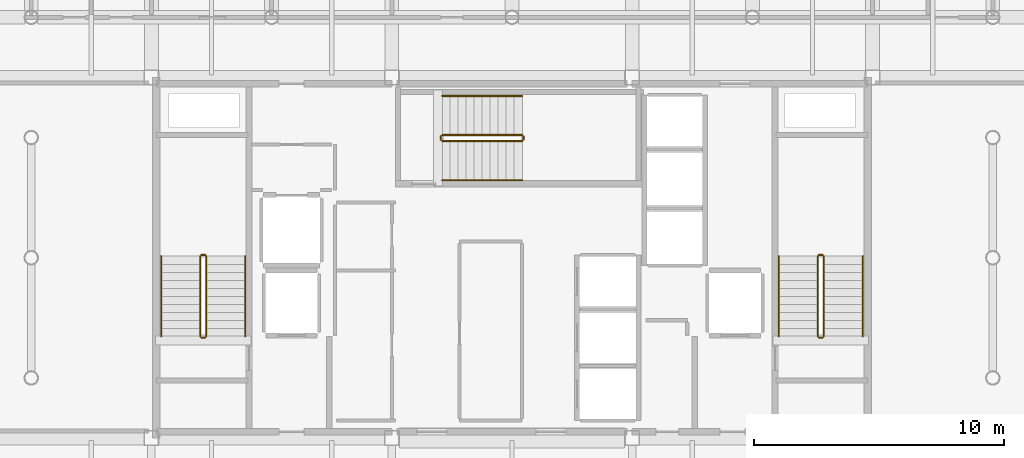
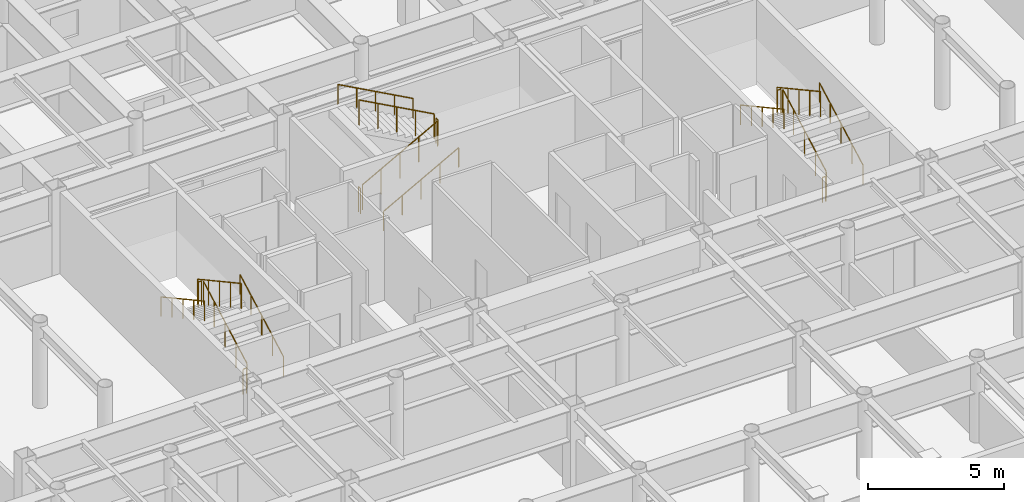
# One storey, part 24 of 24: 18 railings.
"""IFC4 building model written with IfcOpenShell, lengths in metres."""

import ifcopenshell
import ifcopenshell.guid

model = None  # the IFC model being written
_history = None  # IfcOwnerHistory: only IFC2X3 demands one
_inside = {}  # id of a spatial element -> (the spatial element, [elements in it])
_under = {}  # id of a project, library or spatial element -> (it, [spatial elements below it])
_declared = {}  # id of a project -> (the project, [libraries it declares])
_typed = {}  # id of a type object -> (the type object, [elements of that type])
_made_of = {}  # id of a material, layer set ... -> (it, [elements and type objects made of it])


def new_model(schema):
    """Start an empty IFC model of exactly this schema.

    Asked for "IFC4X3", IfcOpenShell would pick the latest addendum, in which some entities
    have other attributes; the version numbers below select the first issue.
    IFC2X3 requires an IfcOwnerHistory on every rooted entity: one is made here for all.
    """
    global model, _history
    if schema == "IFC4X3":
        model = ifcopenshell.file(schema_version=(4, 3, 0, 0))
    else:
        model = ifcopenshell.file(schema=schema)
    _inside.clear()
    _under.clear()
    _declared.clear()
    _typed.clear()
    _made_of.clear()
    _history = None
    if model.schema == "IFC2X3":
        org = make("IfcOrganization", Name="unknown")
        user = make(
            "IfcPersonAndOrganization",
            ThePerson=make("IfcPerson", FamilyName="unknown"),
            TheOrganization=org,
        )
        app = make(
            "IfcApplication",
            ApplicationDeveloper=org,
            Version="unknown",
            ApplicationFullName="unknown",
            ApplicationIdentifier="unknown",
        )
        _history = make(
            "IfcOwnerHistory",
            OwningUser=user,
            OwningApplication=app,
            ChangeAction="ADDED",
            CreationDate=0,
        )
    return model


def make(cls, **values):
    """One entity of the class cls with the attributes given. An attribute that is None is left unset."""
    return model.create_entity(
        cls, **{name: value for name, value in values.items() if value is not None}
    )


def rooted(cls, **values):
    """An entity with a GlobalId (a new one), such as an element, a storey or a relation."""
    return make(cls, GlobalId=ifcopenshell.guid.new(), OwnerHistory=_history, **values)


def si_unit(unit_type, name, prefix=None):
    """IfcSIUnit, for example si_unit("LENGTHUNIT", "METRE", prefix="MILLI")."""
    return make("IfcSIUnit", UnitType=unit_type, Prefix=prefix, Name=name)


def assignment(units):
    """IfcUnitAssignment: the units of a project."""
    return None if units is None else make("IfcUnitAssignment", Units=units)


def point(xyz):
    """IfcCartesianPoint."""
    return None if xyz is None else make("IfcCartesianPoint", Coordinates=xyz)


def direction(xyz):
    """IfcDirection."""
    return None if xyz is None else make("IfcDirection", DirectionRatios=xyz)


def frame(location, z_axis=None, x_axis=None):
    """IfcAxis2Placement3D, a coordinate frame: its origin and axes. An axis left out is left unset."""
    return make(
        "IfcAxis2Placement3D",
        Location=point(location),
        Axis=direction(z_axis),
        RefDirection=direction(x_axis),
    )


def frame_2d(location, x_axis=None):
    """IfcAxis2Placement2D, a coordinate frame in the plane: its origin and x axis."""
    return make(
        "IfcAxis2Placement2D", Location=point(location), RefDirection=direction(x_axis)
    )


def origin():
    """The frame at (0, 0, 0) with its axes left unset."""
    return frame((0.0, 0.0, 0.0))


def origin_2d():
    """The frame at (0, 0) in the plane with its x axis left unset."""
    return frame_2d((0.0, 0.0))


def place(relative_to, where):
    """IfcLocalPlacement: puts the frame where relative to a parent placement (None: the world)."""
    return make(
        "IfcLocalPlacement", PlacementRelTo=relative_to, RelativePlacement=where
    )


def context(
    kind, dimensions, precision=None, world=None, true_north=None, identifier=None
):
    """IfcGeometricRepresentationContext, for example the 3D "Model" context."""
    return make(
        "IfcGeometricRepresentationContext",
        ContextIdentifier=identifier,
        ContextType=kind,
        CoordinateSpaceDimension=dimensions,
        Precision=precision,
        WorldCoordinateSystem=world,
        TrueNorth=true_north,
    )


def subcontext(parent, identifier, kind, view, scale=None):
    """IfcGeometricRepresentationSubContext, for example "Body" below "Model"."""
    return make(
        "IfcGeometricRepresentationSubContext",
        ContextIdentifier=identifier,
        ContextType=kind,
        ParentContext=parent,
        TargetScale=scale,
        TargetView=view,
    )


def project(units=None, contexts=None):
    """IfcProject with its units and contexts."""
    return rooted(
        "IfcProject",
        Name="project",
        RepresentationContexts=contexts,
        UnitsInContext=assignment(units),
    )


def spatial(cls, under=None, at=None, **own):
    """A site, building, storey or space (cls), placed at a placement, below another one or the project."""
    s = rooted(cls, ObjectPlacement=at, **own)
    if under is not None:
        _under.setdefault(under.id(), (under, []))[1].append(s)
    return s


def profile(cls, at=None, kind="AREA", **sizes):
    """A parametric profile (cls). Its sizes go by their IFC names, for example OverallWidth=200.0."""
    return make(cls, ProfileType=kind, Position=at, **sizes)


def circle(**sizes):
    """IfcCircleProfileDef."""
    return profile("IfcCircleProfileDef", **sizes)


def extrude(swept, where, along, depth):
    """IfcExtrudedAreaSolid: the profile swept, set in the frame where, extruded along a direction by depth."""
    return make(
        "IfcExtrudedAreaSolid",
        SweptArea=swept,
        Position=where,
        ExtrudedDirection=direction(along),
        Depth=depth,
    )


def shape(context_of_items, identifier, shape_type, items):
    """IfcShapeRepresentation: the items that make up one representation, for example the "Body"."""
    return make(
        "IfcShapeRepresentation",
        ContextOfItems=context_of_items,
        RepresentationIdentifier=identifier,
        RepresentationType=shape_type,
        Items=items,
    )


def material(Name=None, Category=None):
    """IfcMaterial."""
    return make("IfcMaterial", Name=Name, Category=Category)


def layer(
    of_material, thickness, ventilated=None, Name=None, Category=None, Priority=None
):
    """IfcMaterialLayer: one layer of a wall or slab, of a material (None: an air gap)."""
    return make(
        "IfcMaterialLayer",
        Material=of_material,
        LayerThickness=thickness,
        IsVentilated=ventilated,
        Name=Name,
        Category=Category,
        Priority=Priority,
    )


def layer_set(layers, Name=None):
    """IfcMaterialLayerSet."""
    return make("IfcMaterialLayerSet", MaterialLayers=layers, LayerSetName=Name)


def made_of(thing, what):
    """Note that an element or type object is made of a material, layer set ...; save() writes the relation."""
    if what is not None:
        _made_of.setdefault(what.id(), (what, []))[1].append(thing)
    return thing


def type_object(cls, material=None, **own):
    """A type object (cls), such as IfcWallType, which elements share."""
    return made_of(rooted(cls, **own), material)


def element(
    cls,
    number,
    at=None,
    inside=None,
    cuts=None,
    type_object=None,
    material=None,
    context=None,
    identifier="Body",
    shape_type=None,
    held_by="IfcProductDefinitionShape",
    body=None,
    shapes=None,
    **own,
):
    """One element of the class cls, such as IfcWall. Its Tag is "e" and its number.

    at: its placement. inside: the storey or other place that contains it. cuts: it is an
    opening in that element (IfcRelVoidsElement). A single representation is given by context,
    identifier, shape_type and body (its items); several are given by shapes. held_by: the class
    of the entity that holds the representations. save() writes the other relations.
    """
    e = rooted(cls, Tag="e%d" % number, ObjectPlacement=at, **own)
    if body is not None:
        shapes = [shape(context, identifier, shape_type, body)]
    if shapes is not None:
        e.Representation = make(held_by, Representations=shapes)
    if inside is not None:
        _inside.setdefault(inside.id(), (inside, []))[1].append(e)
    if cuts is not None:
        rooted(
            "IfcRelVoidsElement", RelatingBuildingElement=cuts, RelatedOpeningElement=e
        )
    if type_object is not None:
        _typed.setdefault(type_object.id(), (type_object, []))[1].append(e)
    return made_of(e, material)


def aggregate(whole, parts):
    """IfcRelAggregates: a whole, such as a stair, and the parts it consists of."""
    return rooted("IfcRelAggregates", RelatingObject=whole, RelatedObjects=parts)


def save(model, path):
    """Write the relations noted so far, then the file.

    IfcRelAggregates (storeys below a building ...), IfcRelContainedInSpatialStructure (elements
    in a storey), IfcRelDefinesByType, IfcRelAssociatesMaterial and IfcRelDeclares: one each for
    every whole, place, type object, material and project.
    """
    for whole, parts in _under.values():
        aggregate(whole, parts)
    for where, things in _inside.values():
        rooted(
            "IfcRelContainedInSpatialStructure",
            RelatedElements=things,
            RelatingStructure=where,
        )
    for kind, things in _typed.values():
        rooted("IfcRelDefinesByType", RelatedObjects=things, RelatingType=kind)
    for what, things in _made_of.values():
        rooted("IfcRelAssociatesMaterial", RelatedObjects=things, RelatingMaterial=what)
    for by, libraries in _declared.values():
        rooted("IfcRelDeclares", RelatingContext=by, RelatedDefinitions=libraries)
    model.write(path)


model = new_model("IFC4")

# Units and contexts
model_context = context("Model", 3, precision=1e-05, world=origin(), true_north=direction((0.0, 1.0)))
body_context = subcontext(model_context, "Body", "Model", "MODEL_VIEW")
ifc_project = project(units=[si_unit("LENGTHUNIT", "METRE"), si_unit("AREAUNIT", "SQUARE_METRE"), si_unit("VOLUMEUNIT", "CUBIC_METRE"), si_unit("PLANEANGLEUNIT", "RADIAN"), si_unit("MASSUNIT", "GRAM", prefix="KILO")], contexts=[model_context])

# Site, building, storey
site_placement = place(None, origin())
site = spatial("IfcSite", under=ifc_project, at=site_placement, CompositionType="ELEMENT")
building_placement = place(site_placement, origin())
building = spatial("IfcBuilding", under=site, at=building_placement, Name="Kallvorn Hotel Tower", CompositionType="ELEMENT")
storey_placement = place(building_placement, frame((0.0, 0.0, 218.449951171875)))
storey = spatial("IfcBuildingStorey", under=building, at=storey_placement, Name="L54", CompositionType="ELEMENT", Elevation=218.449951171875)

# Railings
ifc_material_1 = material(Name="Brushed stainless-steel tubular railing", Category="steel")
ifc_layer_1 = layer(ifc_material_1, 0.050048828125)
ifc_layer_set_1 = layer_set([ifc_layer_1], Name="RL_STAIR_GUARD")
railing_type_1 = type_object("IfcRailingType", Name="RL_STAIR_GUARD", PredefinedType="GUARDRAIL", material=ifc_layer_set_1)
railing_1_placement = place(storey_placement, frame((-12.2099609375, -3.139892578125, 0.175048828125)))
element("IfcRailing", 1, at=railing_1_placement, inside=storey, type_object=railing_type_1, Name="L54 ST1 stair guard 1", PredefinedType="GUARDRAIL", context=body_context, shape_type="SweptSolid", body=[
    extrude(circle(Radius=0.02392578125, at=origin_2d()), frame((0.0, 0.0, 1.1259765625), z_axis=(0.0, 0.877368057402, 0.479817977833), x_axis=(-1.0, 0.0, 0.0)), (0.0, 0.0, 1.0), 3.647216796875),
    extrude(circle(Radius=0.02099609375, at=origin_2d()), origin(), (0.0, 0.0, 1.0), 1.101806640625),
    extrude(circle(Radius=0.02099609375, at=origin_2d()), frame((0.0, 0.800048828125, 0.4375)), (0.0, 0.0, 1.0), 1.101806640625),
    extrude(circle(Radius=0.02099609375, at=origin_2d()), frame((0.0, 1.60009765625, 0.875)), (0.0, 0.0, 1.0), 1.101806640625),
    extrude(circle(Radius=0.02099609375, at=origin_2d()), frame((0.0, 2.39990234375, 1.3125)), (0.0, 0.0, 1.0), 1.101806640625),
    extrude(circle(Radius=0.02099609375, at=origin_2d()), frame((0.0, 3.199951171875, 1.75)), (0.0, 0.0, 1.0), 1.101806640625),
])
railing_2_placement = place(storey_placement, frame((-12.260009765625, 0.110107421875, 1.925048828125)))
element("IfcRailing", 2, at=railing_2_placement, inside=storey, type_object=railing_type_1, Name="L54 ST1 stair guard 2", PredefinedType="GUARDRAIL", context=body_context, shape_type="SweptSolid", body=[
    extrude(circle(Radius=0.02392578125, at=origin_2d()), frame((0.0, 0.0, 1.1259765625), z_axis=(-1.0, 0.0, 0.0), x_axis=(0.0, -1.0, 0.0)), (0.0, 0.0, 1.0), 0.139892578125),
    extrude(circle(Radius=0.02099609375, at=origin_2d()), origin(), (0.0, 0.0, 1.0), 1.101806640625),
    extrude(circle(Radius=0.02099609375, at=origin_2d()), frame((-0.139892578125, 0.0, 0.0)), (0.0, 0.0, 1.0), 1.101806640625),
])
railing_3_placement = place(storey_placement, frame((-12.449951171875, 0.06005859375, 2.10009765625)))
element("IfcRailing", 3, at=railing_3_placement, inside=storey, type_object=railing_type_1, Name="L54 ST1 stair guard 3", PredefinedType="GUARDRAIL", context=body_context, shape_type="SweptSolid", body=[
    extrude(circle(Radius=0.02392578125, at=origin_2d()), frame((0.0, 0.0, 1.1259765625), z_axis=(0.0, -0.877368057402, 0.479817977833), x_axis=(1.0, 0.0, 0.0)), (0.0, 0.0, 1.0), 3.647216796875),
    extrude(circle(Radius=0.02099609375, at=origin_2d()), origin(), (0.0, 0.0, 1.0), 1.101806640625),
    extrude(circle(Radius=0.02099609375, at=origin_2d()), frame((0.0, -0.800048828125, 0.4375)), (0.0, 0.0, 1.0), 1.101806640625),
    extrude(circle(Radius=0.02099609375, at=origin_2d()), frame((0.0, -1.60009765625, 0.875)), (0.0, 0.0, 1.0), 1.101806640625),
    extrude(circle(Radius=0.02099609375, at=origin_2d()), frame((0.0, -2.39990234375, 1.3125)), (0.0, 0.0, 1.0), 1.101806640625),
    extrude(circle(Radius=0.02099609375, at=origin_2d()), frame((0.0, -3.199951171875, 1.75)), (0.0, 0.0, 1.0), 1.101806640625),
])
railing_4_placement = place(storey_placement, frame((-12.260009765625, -3.18994140625, 0.0)))
element("IfcRailing", 4, at=railing_4_placement, inside=storey, type_object=railing_type_1, Name="L54 ST1 stair guard 4", PredefinedType="GUARDRAIL", context=body_context, shape_type="SweptSolid", body=[
    extrude(circle(Radius=0.02392578125, at=origin_2d()), frame((0.0, 0.0, 1.1259765625), z_axis=(-1.0, 0.0, 0.0), x_axis=(0.0, -1.0, 0.0)), (0.0, 0.0, 1.0), 0.139892578125),
    extrude(circle(Radius=0.02099609375, at=origin_2d()), origin(), (0.0, 0.0, 1.0), 1.101806640625),
    extrude(circle(Radius=0.02099609375, at=origin_2d()), frame((-0.139892578125, 0.0, 0.0)), (0.0, 0.0, 1.0), 1.101806640625),
])
railing_5_placement = place(storey_placement, frame((12.449951171875, -3.139892578125, 0.175048828125)))
element("IfcRailing", 5, at=railing_5_placement, inside=storey, type_object=railing_type_1, Name="L54 ST2 stair guard 1", PredefinedType="GUARDRAIL", context=body_context, shape_type="SweptSolid", body=[
    extrude(circle(Radius=0.02392578125, at=origin_2d()), frame((0.0, 0.0, 1.1259765625), z_axis=(0.0, 0.877368057402, 0.479817977833), x_axis=(-1.0, 0.0, 0.0)), (0.0, 0.0, 1.0), 3.647216796875),
    extrude(circle(Radius=0.02099609375, at=origin_2d()), origin(), (0.0, 0.0, 1.0), 1.101806640625),
    extrude(circle(Radius=0.02099609375, at=origin_2d()), frame((0.0, 0.800048828125, 0.4375)), (0.0, 0.0, 1.0), 1.101806640625),
    extrude(circle(Radius=0.02099609375, at=origin_2d()), frame((0.0, 1.60009765625, 0.875)), (0.0, 0.0, 1.0), 1.101806640625),
    extrude(circle(Radius=0.02099609375, at=origin_2d()), frame((0.0, 2.39990234375, 1.3125)), (0.0, 0.0, 1.0), 1.101806640625),
    extrude(circle(Radius=0.02099609375, at=origin_2d()), frame((0.0, 3.199951171875, 1.75)), (0.0, 0.0, 1.0), 1.101806640625),
])
railing_6_placement = place(storey_placement, frame((12.39990234375, 0.110107421875, 1.925048828125)))
element("IfcRailing", 6, at=railing_6_placement, inside=storey, type_object=railing_type_1, Name="L54 ST2 stair guard 2", PredefinedType="GUARDRAIL", context=body_context, shape_type="SweptSolid", body=[
    extrude(circle(Radius=0.02392578125, at=origin_2d()), frame((0.0, 0.0, 1.1259765625), z_axis=(-1.0, 0.0, 0.0), x_axis=(0.0, -1.0, 0.0)), (0.0, 0.0, 1.0), 0.139892578125),
    extrude(circle(Radius=0.02099609375, at=origin_2d()), origin(), (0.0, 0.0, 1.0), 1.101806640625),
    extrude(circle(Radius=0.02099609375, at=origin_2d()), frame((-0.139892578125, 0.0, 0.0)), (0.0, 0.0, 1.0), 1.101806640625),
])
railing_7_placement = place(storey_placement, frame((12.2099609375, 0.06005859375, 2.10009765625)))
element("IfcRailing", 7, at=railing_7_placement, inside=storey, type_object=railing_type_1, Name="L54 ST2 stair guard 3", PredefinedType="GUARDRAIL", context=body_context, shape_type="SweptSolid", body=[
    extrude(circle(Radius=0.02392578125, at=origin_2d()), frame((0.0, 0.0, 1.1259765625), z_axis=(0.0, -0.877368057402, 0.479817977833), x_axis=(1.0, 0.0, 0.0)), (0.0, 0.0, 1.0), 3.647216796875),
    extrude(circle(Radius=0.02099609375, at=origin_2d()), origin(), (0.0, 0.0, 1.0), 1.101806640625),
    extrude(circle(Radius=0.02099609375, at=origin_2d()), frame((0.0, -0.800048828125, 0.4375)), (0.0, 0.0, 1.0), 1.101806640625),
    extrude(circle(Radius=0.02099609375, at=origin_2d()), frame((0.0, -1.60009765625, 0.875)), (0.0, 0.0, 1.0), 1.101806640625),
    extrude(circle(Radius=0.02099609375, at=origin_2d()), frame((0.0, -2.39990234375, 1.3125)), (0.0, 0.0, 1.0), 1.101806640625),
    extrude(circle(Radius=0.02099609375, at=origin_2d()), frame((0.0, -3.199951171875, 1.75)), (0.0, 0.0, 1.0), 1.101806640625),
])
railing_8_placement = place(storey_placement, frame((12.39990234375, -3.18994140625, 0.0)))
element("IfcRailing", 8, at=railing_8_placement, inside=storey, type_object=railing_type_1, Name="L54 ST2 stair guard 4", PredefinedType="GUARDRAIL", context=body_context, shape_type="SweptSolid", body=[
    extrude(circle(Radius=0.02392578125, at=origin_2d()), frame((0.0, 0.0, 1.1259765625), z_axis=(-1.0, 0.0, 0.0), x_axis=(0.0, -1.0, 0.0)), (0.0, 0.0, 1.0), 0.139892578125),
    extrude(circle(Radius=0.02099609375, at=origin_2d()), origin(), (0.0, 0.0, 1.0), 1.101806640625),
    extrude(circle(Radius=0.02099609375, at=origin_2d()), frame((-0.139892578125, 0.0, 0.0)), (0.0, 0.0, 1.0), 1.101806640625),
])
railing_9_placement = place(storey_placement, frame((-2.7900390625, 4.659912109375, 0.175048828125)))
element("IfcRailing", 9, at=railing_9_placement, inside=storey, type_object=railing_type_1, Name="L54 ST3 stair guard 1", PredefinedType="GUARDRAIL", context=body_context, shape_type="SweptSolid", body=[
    extrude(circle(Radius=0.02392578125, at=origin_2d()), frame((0.0, 0.0, 1.1259765625), z_axis=(0.877368057402, 0.0, 0.479817977833), x_axis=(0.0, 1.0, 0.0)), (0.0, 0.0, 1.0), 3.647216796875),
    extrude(circle(Radius=0.02099609375, at=origin_2d()), origin(), (0.0, 0.0, 1.0), 1.101806640625),
    extrude(circle(Radius=0.02099609375, at=origin_2d()), frame((0.800048828125, 0.0, 0.4375)), (0.0, 0.0, 1.0), 1.101806640625),
    extrude(circle(Radius=0.02099609375, at=origin_2d()), frame((1.60009765625, 0.0, 0.875)), (0.0, 0.0, 1.0), 1.101806640625),
    extrude(circle(Radius=0.02099609375, at=origin_2d()), frame((2.39990234375, 0.0, 1.3125)), (0.0, 0.0, 1.0), 1.101806640625),
    extrude(circle(Radius=0.02099609375, at=origin_2d()), frame((3.199951171875, 0.0, 1.75)), (0.0, 0.0, 1.0), 1.101806640625),
])
railing_10_placement = place(storey_placement, frame((0.4599609375, 4.7099609375, 1.925048828125)))
element("IfcRailing", 10, at=railing_10_placement, inside=storey, type_object=railing_type_1, Name="L54 ST3 stair guard 2", PredefinedType="GUARDRAIL", context=body_context, shape_type="SweptSolid", body=[
    extrude(circle(Radius=0.02392578125, at=origin_2d()), frame((0.0, 0.0, 1.1259765625), z_axis=(0.0, 1.0, 0.0), x_axis=(-1.0, 0.0, 0.0)), (0.0, 0.0, 1.0), 0.14013671875),
    extrude(circle(Radius=0.02099609375, at=origin_2d()), origin(), (0.0, 0.0, 1.0), 1.101806640625),
    extrude(circle(Radius=0.02099609375, at=origin_2d()), frame((0.0, 0.14013671875, 0.0)), (0.0, 0.0, 1.0), 1.101806640625),
])
railing_11_placement = place(storey_placement, frame((0.409912109375, 4.89990234375, 2.10009765625)))
element("IfcRailing", 11, at=railing_11_placement, inside=storey, type_object=railing_type_1, Name="L54 ST3 stair guard 3", PredefinedType="GUARDRAIL", context=body_context, shape_type="SweptSolid", body=[
    extrude(circle(Radius=0.02392578125, at=origin_2d()), frame((0.0, 0.0, 1.1259765625), z_axis=(-0.877368057402, 0.0, 0.479817977833), x_axis=(0.0, -1.0, 0.0)), (0.0, 0.0, 1.0), 3.647216796875),
    extrude(circle(Radius=0.02099609375, at=origin_2d()), origin(), (0.0, 0.0, 1.0), 1.101806640625),
    extrude(circle(Radius=0.02099609375, at=origin_2d()), frame((-0.800048828125, 0.0, 0.4375)), (0.0, 0.0, 1.0), 1.101806640625),
    extrude(circle(Radius=0.02099609375, at=origin_2d()), frame((-1.60009765625, 0.0, 0.875)), (0.0, 0.0, 1.0), 1.101806640625),
    extrude(circle(Radius=0.02099609375, at=origin_2d()), frame((-2.39990234375, 0.0, 1.3125)), (0.0, 0.0, 1.0), 1.101806640625),
    extrude(circle(Radius=0.02099609375, at=origin_2d()), frame((-3.199951171875, 0.0, 1.75)), (0.0, 0.0, 1.0), 1.101806640625),
])
railing_12_placement = place(storey_placement, frame((-2.840087890625, 4.7099609375, 0.0)))
element("IfcRailing", 12, at=railing_12_placement, inside=storey, type_object=railing_type_1, Name="L54 ST3 stair guard 4", PredefinedType="GUARDRAIL", context=body_context, shape_type="SweptSolid", body=[
    extrude(circle(Radius=0.02392578125, at=origin_2d()), frame((0.0, 0.0, 1.1259765625), z_axis=(0.0, 1.0, 0.0), x_axis=(-1.0, 0.0, 0.0)), (0.0, 0.0, 1.0), 0.14013671875),
    extrude(circle(Radius=0.02099609375, at=origin_2d()), origin(), (0.0, 0.0, 1.0), 1.101806640625),
    extrude(circle(Radius=0.02099609375, at=origin_2d()), frame((0.0, 0.14013671875, 0.0)), (0.0, 0.0, 1.0), 1.101806640625),
])
ifc_material_2 = material(Name="Brushed stainless-steel tubular railing", Category="steel")
ifc_layer_2 = layer(ifc_material_2, 0.050048828125)
ifc_layer_set_2 = layer_set([ifc_layer_2], Name="RL_STAIR_HAND")
railing_type_2 = type_object("IfcRailingType", Name="RL_STAIR_HAND", PredefinedType="HANDRAIL", material=ifc_layer_set_2)
railing_13_placement = place(storey_placement, frame((-10.64990234375, -3.139892578125, 0.175048828125)))
element("IfcRailing", 13, at=railing_13_placement, inside=storey, type_object=railing_type_2, Name="L54 ST1 stair handrail 1", PredefinedType="HANDRAIL", context=body_context, shape_type="SweptSolid", body=[
    extrude(circle(Radius=0.02392578125, at=origin_2d()), frame((0.0, 0.0, 0.8759765625), z_axis=(0.0, 0.877368057402, 0.479817977833), x_axis=(-1.0, 0.0, 0.0)), (0.0, 0.0, 1.0), 3.647216796875),
    extrude(circle(Radius=0.02099609375, at=origin_2d()), origin(), (0.0, 0.0, 1.0), 0.851806640625),
    extrude(circle(Radius=0.02099609375, at=origin_2d()), frame((0.0, 0.800048828125, 0.4375)), (0.0, 0.0, 1.0), 0.851806640625),
    extrude(circle(Radius=0.02099609375, at=origin_2d()), frame((0.0, 1.60009765625, 0.875)), (0.0, 0.0, 1.0), 0.851806640625),
    extrude(circle(Radius=0.02099609375, at=origin_2d()), frame((0.0, 2.39990234375, 1.3125)), (0.0, 0.0, 1.0), 0.851806640625),
    extrude(circle(Radius=0.02099609375, at=origin_2d()), frame((0.0, 3.199951171875, 1.75)), (0.0, 0.0, 1.0), 0.851806640625),
])
railing_14_placement = place(storey_placement, frame((-14.010009765625, 0.06005859375, 2.10009765625)))
element("IfcRailing", 14, at=railing_14_placement, inside=storey, type_object=railing_type_2, Name="L54 ST1 stair handrail 2", PredefinedType="HANDRAIL", context=body_context, shape_type="SweptSolid", body=[
    extrude(circle(Radius=0.02392578125, at=origin_2d()), frame((0.0, 0.0, 0.8759765625), z_axis=(0.0, -0.877368057402, 0.479817977833), x_axis=(1.0, 0.0, 0.0)), (0.0, 0.0, 1.0), 3.647216796875),
    extrude(circle(Radius=0.02099609375, at=origin_2d()), origin(), (0.0, 0.0, 1.0), 0.851806640625),
    extrude(circle(Radius=0.02099609375, at=origin_2d()), frame((0.0, -0.800048828125, 0.4375)), (0.0, 0.0, 1.0), 0.851806640625),
    extrude(circle(Radius=0.02099609375, at=origin_2d()), frame((0.0, -1.60009765625, 0.875)), (0.0, 0.0, 1.0), 0.851806640625),
    extrude(circle(Radius=0.02099609375, at=origin_2d()), frame((0.0, -2.39990234375, 1.3125)), (0.0, 0.0, 1.0), 0.851806640625),
    extrude(circle(Radius=0.02099609375, at=origin_2d()), frame((0.0, -3.199951171875, 1.75)), (0.0, 0.0, 1.0), 0.851806640625),
])
railing_15_placement = place(storey_placement, frame((14.010009765625, -3.139892578125, 0.175048828125)))
element("IfcRailing", 15, at=railing_15_placement, inside=storey, type_object=railing_type_2, Name="L54 ST2 stair handrail 1", PredefinedType="HANDRAIL", context=body_context, shape_type="SweptSolid", body=[
    extrude(circle(Radius=0.02392578125, at=origin_2d()), frame((0.0, 0.0, 0.8759765625), z_axis=(0.0, 0.877368057402, 0.479817977833), x_axis=(-1.0, 0.0, 0.0)), (0.0, 0.0, 1.0), 3.647216796875),
    extrude(circle(Radius=0.02099609375, at=origin_2d()), origin(), (0.0, 0.0, 1.0), 0.851806640625),
    extrude(circle(Radius=0.02099609375, at=origin_2d()), frame((0.0, 0.800048828125, 0.4375)), (0.0, 0.0, 1.0), 0.851806640625),
    extrude(circle(Radius=0.02099609375, at=origin_2d()), frame((0.0, 1.60009765625, 0.875)), (0.0, 0.0, 1.0), 0.851806640625),
    extrude(circle(Radius=0.02099609375, at=origin_2d()), frame((0.0, 2.39990234375, 1.3125)), (0.0, 0.0, 1.0), 0.851806640625),
    extrude(circle(Radius=0.02099609375, at=origin_2d()), frame((0.0, 3.199951171875, 1.75)), (0.0, 0.0, 1.0), 0.851806640625),
])
railing_16_placement = place(storey_placement, frame((10.64990234375, 0.06005859375, 2.10009765625)))
element("IfcRailing", 16, at=railing_16_placement, inside=storey, type_object=railing_type_2, Name="L54 ST2 stair handrail 2", PredefinedType="HANDRAIL", context=body_context, shape_type="SweptSolid", body=[
    extrude(circle(Radius=0.02392578125, at=origin_2d()), frame((0.0, 0.0, 0.8759765625), z_axis=(0.0, -0.877368057402, 0.479817977833), x_axis=(1.0, 0.0, 0.0)), (0.0, 0.0, 1.0), 3.647216796875),
    extrude(circle(Radius=0.02099609375, at=origin_2d()), origin(), (0.0, 0.0, 1.0), 0.851806640625),
    extrude(circle(Radius=0.02099609375, at=origin_2d()), frame((0.0, -0.800048828125, 0.4375)), (0.0, 0.0, 1.0), 0.851806640625),
    extrude(circle(Radius=0.02099609375, at=origin_2d()), frame((0.0, -1.60009765625, 0.875)), (0.0, 0.0, 1.0), 0.851806640625),
    extrude(circle(Radius=0.02099609375, at=origin_2d()), frame((0.0, -2.39990234375, 1.3125)), (0.0, 0.0, 1.0), 0.851806640625),
    extrude(circle(Radius=0.02099609375, at=origin_2d()), frame((0.0, -3.199951171875, 1.75)), (0.0, 0.0, 1.0), 0.851806640625),
])
railing_17_placement = place(storey_placement, frame((-2.7900390625, 3.10009765625, 0.175048828125)))
element("IfcRailing", 17, at=railing_17_placement, inside=storey, type_object=railing_type_2, Name="L54 ST3 stair handrail 1", PredefinedType="HANDRAIL", context=body_context, shape_type="SweptSolid", body=[
    extrude(circle(Radius=0.02392578125, at=origin_2d()), frame((0.0, 0.0, 0.8759765625), z_axis=(0.877368057402, 0.0, 0.479817977833), x_axis=(0.0, 1.0, 0.0)), (0.0, 0.0, 1.0), 3.647216796875),
    extrude(circle(Radius=0.02099609375, at=origin_2d()), origin(), (0.0, 0.0, 1.0), 0.851806640625),
    extrude(circle(Radius=0.02099609375, at=origin_2d()), frame((0.800048828125, 0.0, 0.4375)), (0.0, 0.0, 1.0), 0.851806640625),
    extrude(circle(Radius=0.02099609375, at=origin_2d()), frame((1.60009765625, 0.0, 0.875)), (0.0, 0.0, 1.0), 0.851806640625),
    extrude(circle(Radius=0.02099609375, at=origin_2d()), frame((2.39990234375, 0.0, 1.3125)), (0.0, 0.0, 1.0), 0.851806640625),
    extrude(circle(Radius=0.02099609375, at=origin_2d()), frame((3.199951171875, 0.0, 1.75)), (0.0, 0.0, 1.0), 0.851806640625),
])
railing_18_placement = place(storey_placement, frame((0.409912109375, 6.4599609375, 2.10009765625)))
element("IfcRailing", 18, at=railing_18_placement, inside=storey, type_object=railing_type_2, Name="L54 ST3 stair handrail 2", PredefinedType="HANDRAIL", context=body_context, shape_type="SweptSolid", body=[
    extrude(circle(Radius=0.02392578125, at=origin_2d()), frame((0.0, 0.0, 0.8759765625), z_axis=(-0.877368057402, 0.0, 0.479817977833), x_axis=(0.0, -1.0, 0.0)), (0.0, 0.0, 1.0), 3.647216796875),
    extrude(circle(Radius=0.02099609375, at=origin_2d()), origin(), (0.0, 0.0, 1.0), 0.851806640625),
    extrude(circle(Radius=0.02099609375, at=origin_2d()), frame((-0.800048828125, 0.0, 0.4375)), (0.0, 0.0, 1.0), 0.851806640625),
    extrude(circle(Radius=0.02099609375, at=origin_2d()), frame((-1.60009765625, 0.0, 0.875)), (0.0, 0.0, 1.0), 0.851806640625),
    extrude(circle(Radius=0.02099609375, at=origin_2d()), frame((-2.39990234375, 0.0, 1.3125)), (0.0, 0.0, 1.0), 0.851806640625),
    extrude(circle(Radius=0.02099609375, at=origin_2d()), frame((-3.199951171875, 0.0, 1.75)), (0.0, 0.0, 1.0), 0.851806640625),
])

save(model, "model.ifc")
